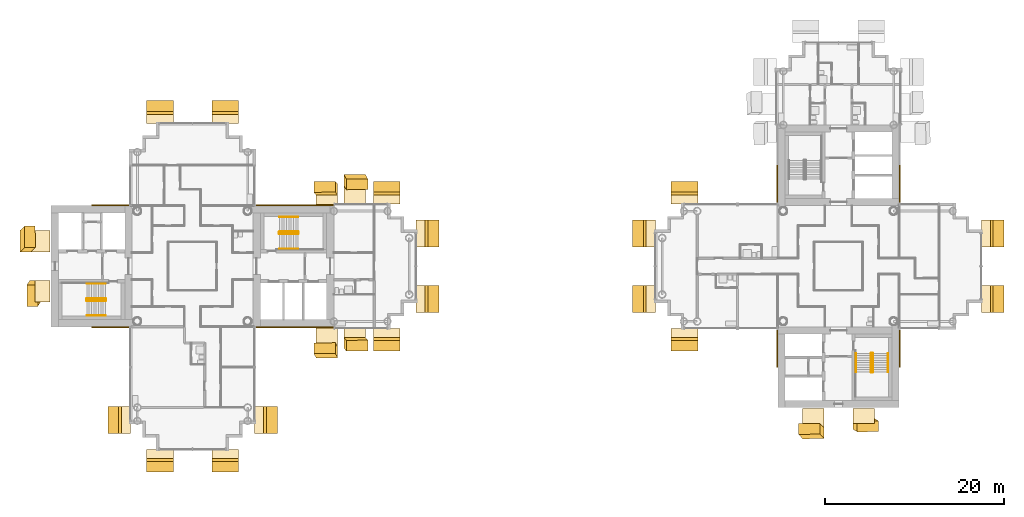
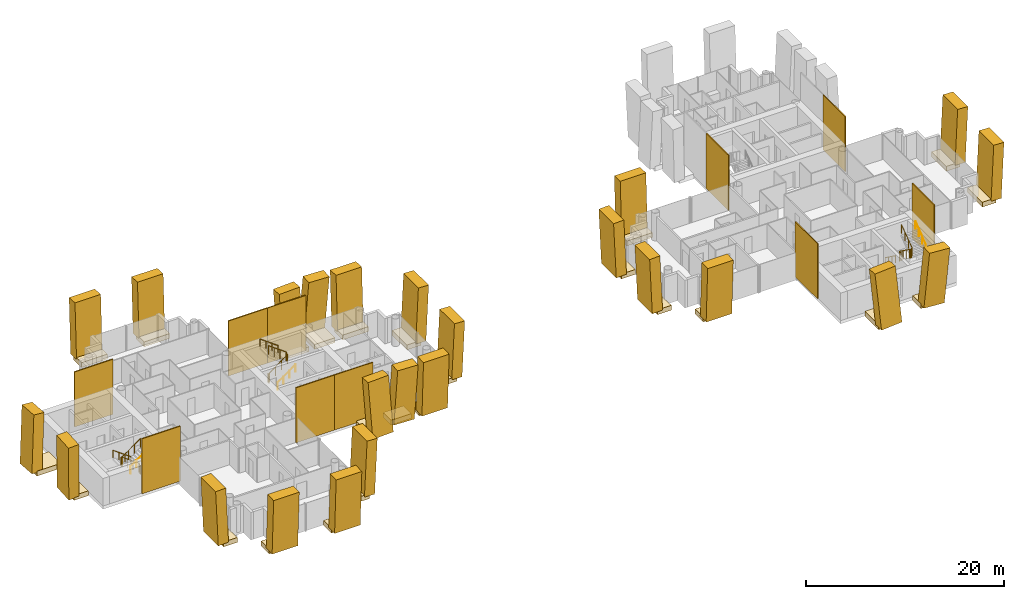
# One storey, part 16 of 18: 58 coverings, 9 railings.
"""IFC4 building model written with IfcOpenShell, lengths in metres."""

from ifc_helpers import new_model, si_unit, direction, frame, origin, origin_2d, place, context, subcontext, project, spatial, rectangle, circle, extrude, material, layer, layer_set, material_profile, profile_set, type_object, element, save


model = new_model("IFC4")

# Units and contexts
model_context = context("Model", 3, precision=1e-05, world=origin(), true_north=direction((0.0, 1.0)))
body_context = subcontext(model_context, "Body", "Model", "MODEL_VIEW")
ifc_project = project(units=[si_unit("LENGTHUNIT", "METRE"), si_unit("AREAUNIT", "SQUARE_METRE"), si_unit("VOLUMEUNIT", "CUBIC_METRE"), si_unit("PLANEANGLEUNIT", "RADIAN"), si_unit("MASSUNIT", "GRAM", prefix="KILO")], contexts=[model_context])

# Site, building, storey
site_placement = place(None, origin())
site = spatial("IfcSite", under=ifc_project, at=site_placement, CompositionType="ELEMENT")
building_placement = place(site_placement, origin())
building = spatial("IfcBuilding", under=site, at=building_placement, Name="Ipe Terrace Towers", CompositionType="ELEMENT")
storey_placement = place(building_placement, frame((0.0, 0.0, 171.10009765625)))
storey = spatial("IfcBuildingStorey", under=building, at=storey_placement, Name="L47", CompositionType="ELEMENT", Elevation=171.10009765625)

# Coverings
ifc_material_1 = material(Name="Concrete C50/60 precast, buff finish", Category="concrete")
ifc_layer = layer(ifc_material_1, 0.1201171875)
ifc_layer_set = layer_set([ifc_layer], Name="STONE CORE CLADDING 120")
covering_type_1 = type_object("IfcCoveringType", Name="STONE CORE CLADDING 120", PredefinedType="CLADDING", material=ifc_layer_set)
for number, where, z_axis, x_axis, name in (
    (1, (-45.0, -6.81005859375, 0.0), (0.0, 0.0, 1.0), (1.0, 0.0, 0.0), "stone core cladding"),
    (2, (-45.0, 6.81005859375, 0.0), (0.0, 0.0, 1.0), (-1.0, 0.0, 0.0), "stone core cladding"),
    (3, (-27.0, -6.81005859375, 0.0), (0.0, 0.0, 1.0), (1.0, 0.0, 0.0), "stone core cladding"),
):
    element("IfcCovering", number, at=place(storey_placement, frame(where, z_axis=z_axis, x_axis=x_axis)), inside=storey, type_object=covering_type_1, Name=name, PredefinedType="CLADDING", context=body_context, shape_type="SweptSolid", body=[
        extrude(rectangle(XDim=4.5, YDim=0.1201171875, at=origin_2d()), origin(), (0.0, 0.0, 1.0), 6.800048828125),
    ])
covering_1_placement = place(storey_placement, frame((-22.4990234375, -6.81005859375, 0.0), z_axis=(0.0, 0.0, 1.0), x_axis=(1.0, 0.0, 0.0)))
element("IfcCovering", 4, at=covering_1_placement, inside=storey, type_object=covering_type_1, Name="stone core cladding", PredefinedType="CLADDING", context=body_context, shape_type="SweptSolid", body=[
    extrude(rectangle(XDim=4.5009765625, YDim=0.1201171875, at=origin_2d()), origin(), (0.0, 0.0, 1.0), 6.800048828125),
])
covering_2_placement = place(storey_placement, frame((-27.0, 6.81005859375, 0.0), z_axis=(0.0, 0.0, 1.0), x_axis=(-1.0, 0.0, 0.0)))
element("IfcCovering", 5, at=covering_2_placement, inside=storey, type_object=covering_type_1, Name="stone core cladding", PredefinedType="CLADDING", context=body_context, shape_type="SweptSolid", body=[
    extrude(rectangle(XDim=4.5, YDim=0.1201171875, at=origin_2d()), origin(), (0.0, 0.0, 1.0), 6.800048828125),
])
covering_3_placement = place(storey_placement, frame((-22.4990234375, 6.81005859375, 0.0), z_axis=(0.0, 0.0, 1.0), x_axis=(-1.0, 0.0, 0.0)))
element("IfcCovering", 6, at=covering_3_placement, inside=storey, type_object=covering_type_1, Name="stone core cladding", PredefinedType="CLADDING", context=body_context, shape_type="SweptSolid", body=[
    extrude(rectangle(XDim=4.5009765625, YDim=0.1201171875, at=origin_2d()), origin(), (0.0, 0.0, 1.0), 6.800048828125),
])
for number, where, z_axis, x_axis, name in (
    (7, (29.18994140625, -9.0, 0.0), (0.0, 0.0, 1.0), (0.0, -1.0, 0.0), "stone core cladding"),
    (8, (29.18994140625, 9.0, 0.0), (0.0, 0.0, 1.0), (0.0, -1.0, 0.0), "stone core cladding"),
    (9, (42.81005859375, -9.0, 0.0), (0.0, 0.0, 1.0), (0.0, 1.0, 0.0), "stone core cladding"),
    (10, (42.81005859375, 9.0, 0.0), (0.0, 0.0, 1.0), (0.0, 1.0, 0.0), "stone core cladding"),
):
    element("IfcCovering", number, at=place(storey_placement, frame(where, z_axis=z_axis, x_axis=x_axis)), inside=storey, type_object=covering_type_1, Name=name, PredefinedType="CLADDING", context=body_context, shape_type="SweptSolid", body=[
        extrude(rectangle(XDim=4.5, YDim=0.1201171875, at=origin_2d()), origin(), (0.0, 0.0, 1.0), 6.800048828125),
    ])
ifc_material_2 = material(Name="Concrete C50/60 precast, buff finish", Category="concrete")
ifc_material_profile_1 = material_profile(ifc_material_2, rectangle(XDim=2.39990234375, YDim=1.199951171875, at=origin_2d()), Name="STONE FIN 2400 x 1200")
ifc_profile_set_1 = profile_set([ifc_material_profile_1], Name="Concrete C50/60 precast, buff finish")
covering_type_2 = type_object("IfcCoveringType", Name="STONE FIN 2400 x 1200", PredefinedType="USERDEFINED", material=ifc_profile_set_1)
covering_4_placement = place(storey_placement, frame((-21.01806640625, -9.626953125, 0.0), z_axis=(-0.038822138914, 0.073135900405, 0.996566094949), x_axis=(0.99924613661, 0.002841434142, 0.038718015469)))
element("IfcCovering", 11, at=covering_4_placement, inside=storey, type_object=covering_type_2, Name="stone fin", ObjectType="FIN", PredefinedType="USERDEFINED", context=body_context, shape_type="SweptSolid", body=[
    extrude(rectangle(XDim=2.39990234375, YDim=1.199951171875, at=origin_2d()), origin(), (0.0, 0.0, 1.0), 6.8232421875),
])
for number, where, z_axis, x_axis, name in (
    (12, (-21.01806640625, 8.535888671875, 0.0), (-0.038885531728, 0.04580249728, 0.998193391415), (-0.999243671695, -0.001782402549, -0.038844660108), "stone fin"),
    (13, (-17.931884765625, -8.535888671875, 0.0), (0.038885531728, -0.04580249728, 0.998193391415), (0.999243671695, 0.001782402549, -0.038844660108), "stone fin"),
):
    element("IfcCovering", number, at=place(storey_placement, frame(where, z_axis=z_axis, x_axis=x_axis)), inside=storey, type_object=covering_type_2, Name=name, ObjectType="FIN", PredefinedType="USERDEFINED", context=body_context, shape_type="SweptSolid", body=[
        extrude(rectangle(XDim=2.39990234375, YDim=1.199951171875, at=origin_2d()), origin(), (0.0, 0.0, 1.0), 6.81201171875),
    ])
covering_5_placement = place(storey_placement, frame((-17.931884765625, 9.626953125, 0.0), z_axis=(0.038822138914, -0.073135900405, 0.996566094949), x_axis=(-0.99924613661, -0.002841434142, 0.038718015469)))
element("IfcCovering", 14, at=covering_5_placement, inside=storey, type_object=covering_type_2, Name="stone fin", ObjectType="FIN", PredefinedType="USERDEFINED", context=body_context, shape_type="SweptSolid", body=[
    extrude(rectangle(XDim=2.39990234375, YDim=1.199951171875, at=origin_2d()), origin(), (0.0, 0.0, 1.0), 6.8232421875),
])
covering_6_placement = place(storey_placement, frame((-54.626953125, 2.7900390625, 0.0), z_axis=(0.07301111623, 0.070082098847, 0.994865757943), x_axis=(0.00512938425, -0.997541226928, 0.069894134203)))
element("IfcCovering", 15, at=covering_6_placement, inside=storey, type_object=covering_type_2, Name="stone fin", ObjectType="FIN", PredefinedType="USERDEFINED", context=body_context, shape_type="SweptSolid", body=[
    extrude(rectangle(XDim=2.39990234375, YDim=1.199951171875, at=origin_2d()), origin(), (0.0, 0.0, 1.0), 6.8349609375),
])
for number, where, z_axis, x_axis, name in (
    (16, (-53.535888671875, -2.7900390625, 0.0), (-0.045724094476, -0.070196145041, 0.996484725626), (0.0032175923, -0.99753320808, -0.070122363611), "stone fin"),
    (17, (38.7900390625, -17.535888671875, 0.0), (0.070196145041, -0.045724094476, 0.996484725626), (0.99753320808, 0.0032175923, -0.070122363611), "stone fin"),
):
    element("IfcCovering", number, at=place(storey_placement, frame(where, z_axis=z_axis, x_axis=x_axis)), inside=storey, type_object=covering_type_2, Name=name, ObjectType="FIN", PredefinedType="USERDEFINED", context=body_context, shape_type="SweptSolid", body=[
        extrude(rectangle(XDim=2.39990234375, YDim=1.199951171875, at=origin_2d()), origin(), (0.0, 0.0, 1.0), 6.82373046875),
    ])
covering_7_placement = place(storey_placement, frame((33.2099609375, -18.626953125, 0.0), z_axis=(-0.070082098847, 0.07301111623, 0.994865757943), x_axis=(0.997541226928, 0.00512938425, 0.069894134203)))
element("IfcCovering", 18, at=covering_7_placement, inside=storey, type_object=covering_type_2, Name="stone fin", ObjectType="FIN", PredefinedType="USERDEFINED", context=body_context, shape_type="SweptSolid", body=[
    extrude(rectangle(XDim=2.39990234375, YDim=1.199951171875, at=origin_2d()), origin(), (0.0, 0.0, 1.0), 6.8349609375),
])
ifc_material_3 = material(Name="Concrete C50/60 precast, buff finish", Category="concrete")
ifc_material_profile_2 = material_profile(ifc_material_3, rectangle(XDim=3.0, YDim=1.199951171875, at=origin_2d()), Name="STONE FIN CORNER 3000 x 1200")
ifc_profile_set_2 = profile_set([ifc_material_profile_2], Name="Concrete C50/60 precast, buff finish")
covering_type_3 = type_object("IfcCoveringType", Name="STONE FIN CORNER 3000 x 1200", PredefinedType="USERDEFINED", material=ifc_profile_set_2)
for number, where, z_axis, x_axis, name in (
    (19, (-9.464111328125, -3.64990234375, 0.0), (0.045837165225, 0.0, 0.998948924762), (0.0, 1.0, 0.0), "stone fin"),
    (20, (-9.464111328125, 3.64990234375, 0.0), (0.045837165225, 0.0, 0.998948924762), (0.0, 1.0, 0.0), "stone fin"),
    (21, (-14.35009765625, -8.535888671875, 0.0), (0.0, -0.045837165225, 0.998948924762), (1.0, 0.0, 0.0), "stone fin"),
    (22, (-14.35009765625, 8.535888671875, 0.0), (0.0, 0.045837165225, 0.998948924762), (-1.0, 0.0, 0.0), "stone fin"),
    (23, (-27.464111328125, -17.14990234375, 0.0), (0.045837165225, 0.0, 0.998948924762), (0.0, 1.0, 0.0), "stone fin"),
    (24, (-32.35009765625, -22.035888671875, 0.0), (0.0, -0.045837165225, 0.998948924762), (1.0, 0.0, 0.0), "stone fin"),
    (25, (-32.35009765625, 17.535888671875, 0.0), (0.0, 0.045837165225, 0.998948924762), (-1.0, 0.0, 0.0), "stone fin"),
    (26, (-39.64990234375, -22.035888671875, 0.0), (0.0, -0.045837165225, 0.998948924762), (1.0, 0.0, 0.0), "stone fin"),
    (27, (-39.64990234375, 17.535888671875, 0.0), (0.0, 0.045837165225, 0.998948924762), (-1.0, 0.0, 0.0), "stone fin"),
    (28, (-44.535888671875, -17.14990234375, 0.0), (-0.045837165225, 0.0, 0.998948924762), (0.0, -1.0, 0.0), "stone fin"),
    (29, (13.964111328125, -3.64990234375, 0.0), (-0.045837165225, 0.0, 0.998948924762), (0.0, -1.0, 0.0), "stone fin"),
    (30, (13.964111328125, 3.64990234375, 0.0), (-0.045837165225, 0.0, 0.998948924762), (0.0, -1.0, 0.0), "stone fin"),
    (31, (18.85009765625, -8.535888671875, 0.0), (0.0, -0.045837165225, 0.998948924762), (1.0, 0.0, 0.0), "stone fin"),
    (32, (18.85009765625, 8.535888671875, 0.0), (0.0, 0.045837165225, 0.998948924762), (-1.0, 0.0, 0.0), "stone fin"),
    (33, (53.535888671875, -3.64990234375, 0.0), (0.045837165225, 0.0, 0.998948924762), (0.0, 1.0, 0.0), "stone fin"),
    (34, (53.535888671875, 3.64990234375, 0.0), (0.045837165225, 0.0, 0.998948924762), (0.0, 1.0, 0.0), "stone fin"),
):
    element("IfcCovering", number, at=place(storey_placement, frame(where, z_axis=z_axis, x_axis=x_axis)), inside=storey, type_object=covering_type_3, Name=name, ObjectType="FIN", PredefinedType="USERDEFINED", context=body_context, shape_type="SweptSolid", body=[
        extrude(rectangle(XDim=3.0, YDim=1.199951171875, at=origin_2d()), origin(), (0.0, 0.0, 1.0), 6.806884765625),
    ])
ifc_material_4 = material(Name="Concrete C50/60 precast, buff finish", Category="concrete")
covering_type_4 = type_object("IfcCoveringType", Name="STONE FIN SHELF 2400 x 600", PredefinedType="CLADDING", material=ifc_material_4)
covering_8_placement = place(storey_placement, frame((-21.01806640625, -8.243896484375, -0.35009765625), z_axis=(0.0, 0.0, 1.0), x_axis=(1.0, 0.0, 0.0)))
element("IfcCovering", 35, at=covering_8_placement, inside=storey, type_object=covering_type_4, Name="stone fin shelf", PredefinedType="CLADDING", context=body_context, shape_type="SweptSolid", body=[
    extrude(rectangle(XDim=2.39990234375, YDim=2.76708984375, at=origin_2d()), origin(), (0.0, 0.0, 1.0), 0.60009765625),
])
covering_9_placement = place(storey_placement, frame((-21.01806640625, 7.697998046875, -0.35009765625), z_axis=(0.0, 0.0, 1.0), x_axis=(-1.0, 0.0, 0.0)))
element("IfcCovering", 36, at=covering_9_placement, inside=storey, type_object=covering_type_4, Name="stone fin shelf", PredefinedType="CLADDING", context=body_context, shape_type="SweptSolid", body=[
    extrude(rectangle(XDim=2.39990234375, YDim=1.676025390625, at=origin_2d()), origin(), (0.0, 0.0, 1.0), 0.60009765625),
])
covering_10_placement = place(storey_placement, frame((-17.931884765625, -7.72607421875, -0.35009765625), z_axis=(0.0, 0.0, 1.0), x_axis=(1.0, 0.0, 0.0)))
element("IfcCovering", 37, at=covering_10_placement, inside=storey, type_object=covering_type_4, Name="stone fin shelf", PredefinedType="CLADDING", context=body_context, shape_type="SweptSolid", body=[
    extrude(rectangle(XDim=2.39990234375, YDim=1.6201171875, at=origin_2d()), origin(), (0.0, 0.0, 1.0), 0.60009765625),
])
covering_11_placement = place(storey_placement, frame((-17.931884765625, 8.27099609375, -0.35009765625), z_axis=(0.0, 0.0, 1.0), x_axis=(-1.0, 0.0, 0.0)))
element("IfcCovering", 38, at=covering_11_placement, inside=storey, type_object=covering_type_4, Name="stone fin shelf", PredefinedType="CLADDING", context=body_context, shape_type="SweptSolid", body=[
    extrude(rectangle(XDim=2.39990234375, YDim=2.7109375, at=origin_2d()), origin(), (0.0, 0.0, 1.0), 0.60009765625),
])
covering_12_placement = place(storey_placement, frame((-53.243896484375, 2.7900390625, -0.35009765625), z_axis=(0.0, 0.0, 1.0), x_axis=(0.0, -1.0, 0.0)))
element("IfcCovering", 39, at=covering_12_placement, inside=storey, type_object=covering_type_4, Name="stone fin shelf", PredefinedType="CLADDING", context=body_context, shape_type="SweptSolid", body=[
    extrude(rectangle(XDim=2.39990234375, YDim=2.76708984375, at=origin_2d()), origin(), (0.0, 0.0, 1.0), 0.60009765625),
])
for number, where, z_axis, x_axis, name in (
    (40, (-52.697998046875, -2.7900390625, -0.35009765625), (0.0, 0.0, 1.0), (0.0, -1.0, 0.0), "stone fin shelf"),
    (41, (38.7900390625, -16.697998046875, -0.35009765625), (0.0, 0.0, 1.0), (1.0, 0.0, 0.0), "stone fin shelf"),
):
    element("IfcCovering", number, at=place(storey_placement, frame(where, z_axis=z_axis, x_axis=x_axis)), inside=storey, type_object=covering_type_4, Name=name, PredefinedType="CLADDING", context=body_context, shape_type="SweptSolid", body=[
        extrude(rectangle(XDim=2.39990234375, YDim=1.676025390625, at=origin_2d()), origin(), (0.0, 0.0, 1.0), 0.60009765625),
    ])
covering_13_placement = place(storey_placement, frame((33.2099609375, -17.243896484375, -0.35009765625), z_axis=(0.0, 0.0, 1.0), x_axis=(1.0, 0.0, 0.0)))
element("IfcCovering", 42, at=covering_13_placement, inside=storey, type_object=covering_type_4, Name="stone fin shelf", PredefinedType="CLADDING", context=body_context, shape_type="SweptSolid", body=[
    extrude(rectangle(XDim=2.39990234375, YDim=2.76708984375, at=origin_2d()), origin(), (0.0, 0.0, 1.0), 0.60009765625),
])
ifc_material_5 = material(Name="Concrete C50/60 precast, buff finish", Category="concrete")
covering_type_5 = type_object("IfcCoveringType", Name="STONE FIN SHELF 3000 x 600", PredefinedType="CLADDING", material=ifc_material_5)
for number, where, z_axis, x_axis, name in (
    (43, (-10.27392578125, -3.64990234375, -0.35009765625), (0.0, 0.0, 1.0), (0.0, 1.0, 0.0), "stone fin shelf"),
    (44, (-10.27392578125, 3.64990234375, -0.35009765625), (0.0, 0.0, 1.0), (0.0, 1.0, 0.0), "stone fin shelf"),
    (45, (-14.35009765625, -7.72607421875, -0.35009765625), (0.0, 0.0, 1.0), (1.0, 0.0, 0.0), "stone fin shelf"),
    (46, (-14.35009765625, 7.72607421875, -0.35009765625), (0.0, 0.0, 1.0), (-1.0, 0.0, 0.0), "stone fin shelf"),
    (47, (-28.27392578125, -17.14990234375, -0.35009765625), (0.0, 0.0, 1.0), (0.0, 1.0, 0.0), "stone fin shelf"),
    (48, (-32.35009765625, -21.22607421875, -0.35009765625), (0.0, 0.0, 1.0), (1.0, 0.0, 0.0), "stone fin shelf"),
    (49, (-32.35009765625, 16.72607421875, -0.35009765625), (0.0, 0.0, 1.0), (-1.0, 0.0, 0.0), "stone fin shelf"),
    (50, (-39.64990234375, -21.22607421875, -0.35009765625), (0.0, 0.0, 1.0), (1.0, 0.0, 0.0), "stone fin shelf"),
    (51, (-39.64990234375, 16.72607421875, -0.35009765625), (0.0, 0.0, 1.0), (-1.0, 0.0, 0.0), "stone fin shelf"),
    (52, (-43.72607421875, -17.14990234375, -0.35009765625), (0.0, 0.0, 1.0), (0.0, -1.0, 0.0), "stone fin shelf"),
    (53, (14.77392578125, -3.64990234375, -0.35009765625), (0.0, 0.0, 1.0), (0.0, -1.0, 0.0), "stone fin shelf"),
    (54, (14.77392578125, 3.64990234375, -0.35009765625), (0.0, 0.0, 1.0), (0.0, -1.0, 0.0), "stone fin shelf"),
    (55, (18.85009765625, -7.72607421875, -0.35009765625), (0.0, 0.0, 1.0), (1.0, 0.0, 0.0), "stone fin shelf"),
    (56, (18.85009765625, 7.72607421875, -0.35009765625), (0.0, 0.0, 1.0), (-1.0, 0.0, 0.0), "stone fin shelf"),
    (57, (52.72607421875, -3.64990234375, -0.35009765625), (0.0, 0.0, 1.0), (0.0, 1.0, 0.0), "stone fin shelf"),
    (58, (52.72607421875, 3.64990234375, -0.35009765625), (0.0, 0.0, 1.0), (0.0, 1.0, 0.0), "stone fin shelf"),
):
    element("IfcCovering", number, at=place(storey_placement, frame(where, z_axis=z_axis, x_axis=x_axis)), inside=storey, type_object=covering_type_5, Name=name, PredefinedType="CLADDING", context=body_context, shape_type="SweptSolid", body=[
        extrude(rectangle(XDim=3.0, YDim=1.6201171875, at=origin_2d()), origin(), (0.0, 0.0, 1.0), 0.60009765625),
    ])

# Railings
ifc_material_6 = material(Name="Steel S355", Category="steel")
railing_type_1 = type_object("IfcRailingType", Name="Stair guard 1100", PredefinedType="GUARDRAIL", material=ifc_material_6)
railing_1_placement = place(storey_placement, frame((-26.35009765625, 3.800048828125, 0.0)))
element("IfcRailing", 59, at=railing_1_placement, inside=storey, type_object=railing_type_1, Name="L47 T1-ST1 stair guard 1", PredefinedType="GUARDRAIL", context=body_context, shape_type="SweptSolid", body=[
    extrude(circle(Radius=0.02392578125, at=origin_2d()), frame((0.0, 0.0, 1.076171875), z_axis=(0.0, -1.0, 0.0), x_axis=(1.0, 0.0, 0.0)), (0.0, 0.0, 1.0), 0.150146484375),
    extrude(circle(Radius=0.02392578125, at=origin_2d()), frame((0.0, -0.150146484375, 1.076171875), z_axis=(0.248385422981, -0.247173786771, 0.936594790069), x_axis=(0.705375805398, 0.708833529934, 0.0)), (0.0, 0.0, 1.0), 0.201416015625),
    extrude(circle(Radius=0.02392578125, at=origin_2d()), frame((0.050048828125, -0.199951171875, 1.2646484375), z_axis=(0.809023421508, 0.0, 0.587776406001), x_axis=(0.0, 1.0, 0.0)), (0.0, 0.0, 1.0), 2.571044921875),
    extrude(circle(Radius=0.02392578125, at=origin_2d()), frame((2.130126953125, -0.199951171875, 2.77587890625), z_axis=(0.708833529934, 0.705375805398, 0.0), x_axis=(-0.705375805398, 0.708833529934, 0.0)), (0.0, 0.0, 1.0), 0.070556640625),
    extrude(circle(Radius=0.02392578125, at=origin_2d()), frame((2.18017578125, -0.150146484375, 2.77587890625), z_axis=(0.0, 1.0, 0.0), x_axis=(-1.0, 0.0, 0.0)), (0.0, 0.0, 1.0), 0.150146484375),
    extrude(circle(Radius=0.02392578125, at=origin_2d()), frame((2.18017578125, 0.0, 2.77587890625), z_axis=(-0.248310886586, 0.248310886586, 0.936313733321), x_axis=(-0.707106781187, -0.707106781187, 0.0)), (0.0, 0.0, 1.0), 0.20166015625),
    extrude(circle(Radius=0.02392578125, at=origin_2d()), frame((2.130126953125, 0.050048828125, 2.96484375), z_axis=(-0.809023421508, 0.0, 0.587776406001), x_axis=(0.0, -1.0, 0.0)), (0.0, 0.0, 1.0), 2.571044921875),
    extrude(circle(Radius=0.02099609375, at=origin_2d()), origin(), (0.0, 0.0, 1.0), 1.052001953125),
    extrude(circle(Radius=0.02099609375, at=origin_2d()), frame((0.0, -0.150146484375, 0.0)), (0.0, 0.0, 1.0), 1.052001953125),
    extrude(circle(Radius=0.02099609375, at=origin_2d()), frame((0.050048828125, -0.199951171875, 0.188720703125)), (0.0, 0.0, 1.0), 1.052001953125),
    extrude(circle(Radius=0.02099609375, at=origin_2d()), frame((0.743408203125, -0.199951171875, 0.6923828125)), (0.0, 0.0, 1.0), 1.052001953125),
    extrude(circle(Radius=0.02099609375, at=origin_2d()), frame((1.436767578125, -0.199951171875, 1.1962890625)), (0.0, 0.0, 1.0), 1.052001953125),
    extrude(circle(Radius=0.02099609375, at=origin_2d()), frame((2.130126953125, -0.199951171875, 1.699951171875)), (0.0, 0.0, 1.0), 1.052001953125),
    extrude(circle(Radius=0.02099609375, at=origin_2d()), frame((2.18017578125, -0.150146484375, 1.699951171875)), (0.0, 0.0, 1.0), 1.052001953125),
    extrude(circle(Radius=0.02099609375, at=origin_2d()), frame((2.18017578125, 0.0, 1.699951171875)), (0.0, 0.0, 1.0), 1.052001953125),
    extrude(circle(Radius=0.02099609375, at=origin_2d()), frame((2.130126953125, 0.050048828125, 1.888671875)), (0.0, 0.0, 1.0), 1.052001953125),
    extrude(circle(Radius=0.02099609375, at=origin_2d()), frame((1.436767578125, 0.050048828125, 2.392333984375)), (0.0, 0.0, 1.0), 1.052001953125),
    extrude(circle(Radius=0.02099609375, at=origin_2d()), frame((0.743408203125, 0.050048828125, 2.896240234375)), (0.0, 0.0, 1.0), 1.052001953125),
    extrude(circle(Radius=0.02099609375, at=origin_2d()), frame((0.050048828125, 0.050048828125, 3.39990234375)), (0.0, 0.0, 1.0), 1.052001953125),
])
railing_2_placement = place(storey_placement, frame((-45.64990234375, -3.800048828125, 0.0)))
element("IfcRailing", 60, at=railing_2_placement, inside=storey, type_object=railing_type_1, Name="L47 T1-ST2 stair guard 1", PredefinedType="GUARDRAIL", context=body_context, shape_type="SweptSolid", body=[
    extrude(circle(Radius=0.02392578125, at=origin_2d()), frame((0.0, 0.0, 1.076171875), z_axis=(0.0, 1.0, 0.0), x_axis=(-1.0, 0.0, 0.0)), (0.0, 0.0, 1.0), 0.150146484375),
    extrude(circle(Radius=0.02392578125, at=origin_2d()), frame((0.0, 0.150146484375, 1.076171875), z_axis=(-0.248385422981, 0.247173786771, 0.936594790069), x_axis=(-0.705375805398, -0.708833529934, 0.0)), (0.0, 0.0, 1.0), 0.201416015625),
    extrude(circle(Radius=0.02392578125, at=origin_2d()), frame((-0.050048828125, 0.199951171875, 1.2646484375), z_axis=(-0.809023421508, 0.0, 0.587776406001), x_axis=(0.0, -1.0, 0.0)), (0.0, 0.0, 1.0), 2.571044921875),
    extrude(circle(Radius=0.02392578125, at=origin_2d()), frame((-2.130126953125, 0.199951171875, 2.77587890625), z_axis=(-0.708833529934, -0.705375805398, 0.0), x_axis=(0.705375805398, -0.708833529934, 0.0)), (0.0, 0.0, 1.0), 0.070556640625),
    extrude(circle(Radius=0.02392578125, at=origin_2d()), frame((-2.18017578125, 0.150146484375, 2.77587890625), z_axis=(0.0, -1.0, 0.0), x_axis=(1.0, 0.0, 0.0)), (0.0, 0.0, 1.0), 0.150146484375),
    extrude(circle(Radius=0.02392578125, at=origin_2d()), frame((-2.18017578125, 0.0, 2.77587890625), z_axis=(0.248310886586, -0.248310886586, 0.936313733321), x_axis=(0.707106781187, 0.707106781187, 0.0)), (0.0, 0.0, 1.0), 0.20166015625),
    extrude(circle(Radius=0.02392578125, at=origin_2d()), frame((-2.130126953125, -0.050048828125, 2.96484375), z_axis=(0.809023421508, 0.0, 0.587776406001), x_axis=(0.0, 1.0, 0.0)), (0.0, 0.0, 1.0), 2.571044921875),
    extrude(circle(Radius=0.02099609375, at=origin_2d()), origin(), (0.0, 0.0, 1.0), 1.052001953125),
    extrude(circle(Radius=0.02099609375, at=origin_2d()), frame((0.0, 0.150146484375, 0.0)), (0.0, 0.0, 1.0), 1.052001953125),
    extrude(circle(Radius=0.02099609375, at=origin_2d()), frame((-0.050048828125, 0.199951171875, 0.188720703125)), (0.0, 0.0, 1.0), 1.052001953125),
    extrude(circle(Radius=0.02099609375, at=origin_2d()), frame((-0.743408203125, 0.199951171875, 0.6923828125)), (0.0, 0.0, 1.0), 1.052001953125),
    extrude(circle(Radius=0.02099609375, at=origin_2d()), frame((-1.436767578125, 0.199951171875, 1.1962890625)), (0.0, 0.0, 1.0), 1.052001953125),
    extrude(circle(Radius=0.02099609375, at=origin_2d()), frame((-2.130126953125, 0.199951171875, 1.699951171875)), (0.0, 0.0, 1.0), 1.052001953125),
    extrude(circle(Radius=0.02099609375, at=origin_2d()), frame((-2.18017578125, 0.150146484375, 1.699951171875)), (0.0, 0.0, 1.0), 1.052001953125),
    extrude(circle(Radius=0.02099609375, at=origin_2d()), frame((-2.18017578125, 0.0, 1.699951171875)), (0.0, 0.0, 1.0), 1.052001953125),
    extrude(circle(Radius=0.02099609375, at=origin_2d()), frame((-2.130126953125, -0.050048828125, 1.888671875)), (0.0, 0.0, 1.0), 1.052001953125),
    extrude(circle(Radius=0.02099609375, at=origin_2d()), frame((-1.436767578125, -0.050048828125, 2.392333984375)), (0.0, 0.0, 1.0), 1.052001953125),
    extrude(circle(Radius=0.02099609375, at=origin_2d()), frame((-0.743408203125, -0.050048828125, 2.896240234375)), (0.0, 0.0, 1.0), 1.052001953125),
    extrude(circle(Radius=0.02099609375, at=origin_2d()), frame((-0.050048828125, -0.050048828125, 3.39990234375)), (0.0, 0.0, 1.0), 1.052001953125),
])
railing_3_placement = place(storey_placement, frame((39.800048828125, -9.64990234375, 0.0)))
element("IfcRailing", 61, at=railing_3_placement, inside=storey, type_object=railing_type_1, Name="L47 T2-ST2 stair guard 1", PredefinedType="GUARDRAIL", context=body_context, shape_type="SweptSolid", body=[
    extrude(circle(Radius=0.02392578125, at=origin_2d()), frame((0.0, 0.0, 1.076171875), z_axis=(-1.0, 0.0, 0.0), x_axis=(0.0, -1.0, 0.0)), (0.0, 0.0, 1.0), 0.150146484375),
    extrude(circle(Radius=0.02392578125, at=origin_2d()), frame((-0.150146484375, 0.0, 1.076171875), z_axis=(-0.247173786771, -0.248385422981, 0.936594790069), x_axis=(0.708833529934, -0.705375805398, 0.0)), (0.0, 0.0, 1.0), 0.201416015625),
    extrude(circle(Radius=0.02392578125, at=origin_2d()), frame((-0.199951171875, -0.050048828125, 1.2646484375), z_axis=(0.0, -0.809023421508, 0.587776406001), x_axis=(1.0, 0.0, 0.0)), (0.0, 0.0, 1.0), 2.571044921875),
    extrude(circle(Radius=0.02392578125, at=origin_2d()), frame((-0.199951171875, -2.130126953125, 2.77587890625), z_axis=(0.705375805398, -0.708833529934, 0.0), x_axis=(0.708833529934, 0.705375805398, 0.0)), (0.0, 0.0, 1.0), 0.070556640625),
    extrude(circle(Radius=0.02392578125, at=origin_2d()), frame((-0.150146484375, -2.18017578125, 2.77587890625), z_axis=(1.0, 0.0, 0.0), x_axis=(0.0, 1.0, 0.0)), (0.0, 0.0, 1.0), 0.150146484375),
    extrude(circle(Radius=0.02392578125, at=origin_2d()), frame((0.0, -2.18017578125, 2.77587890625), z_axis=(0.248310886586, 0.248310886586, 0.936313733321), x_axis=(-0.707106781187, 0.707106781187, 0.0)), (0.0, 0.0, 1.0), 0.20166015625),
    extrude(circle(Radius=0.02392578125, at=origin_2d()), frame((0.050048828125, -2.130126953125, 2.96484375), z_axis=(0.0, 0.809023421508, 0.587776406001), x_axis=(-1.0, 0.0, 0.0)), (0.0, 0.0, 1.0), 2.571044921875),
    extrude(circle(Radius=0.02099609375, at=origin_2d()), origin(), (0.0, 0.0, 1.0), 1.052001953125),
    extrude(circle(Radius=0.02099609375, at=origin_2d()), frame((-0.150146484375, 0.0, 0.0)), (0.0, 0.0, 1.0), 1.052001953125),
    extrude(circle(Radius=0.02099609375, at=origin_2d()), frame((-0.199951171875, -0.050048828125, 0.188720703125)), (0.0, 0.0, 1.0), 1.052001953125),
    extrude(circle(Radius=0.02099609375, at=origin_2d()), frame((-0.199951171875, -0.743408203125, 0.6923828125)), (0.0, 0.0, 1.0), 1.052001953125),
    extrude(circle(Radius=0.02099609375, at=origin_2d()), frame((-0.199951171875, -1.436767578125, 1.1962890625)), (0.0, 0.0, 1.0), 1.052001953125),
    extrude(circle(Radius=0.02099609375, at=origin_2d()), frame((-0.199951171875, -2.130126953125, 1.699951171875)), (0.0, 0.0, 1.0), 1.052001953125),
    extrude(circle(Radius=0.02099609375, at=origin_2d()), frame((-0.150146484375, -2.18017578125, 1.699951171875)), (0.0, 0.0, 1.0), 1.052001953125),
    extrude(circle(Radius=0.02099609375, at=origin_2d()), frame((0.0, -2.18017578125, 1.699951171875)), (0.0, 0.0, 1.0), 1.052001953125),
    extrude(circle(Radius=0.02099609375, at=origin_2d()), frame((0.050048828125, -2.130126953125, 1.888671875)), (0.0, 0.0, 1.0), 1.052001953125),
    extrude(circle(Radius=0.02099609375, at=origin_2d()), frame((0.050048828125, -1.436767578125, 2.392333984375)), (0.0, 0.0, 1.0), 1.052001953125),
    extrude(circle(Radius=0.02099609375, at=origin_2d()), frame((0.050048828125, -0.743408203125, 2.896240234375)), (0.0, 0.0, 1.0), 1.052001953125),
    extrude(circle(Radius=0.02099609375, at=origin_2d()), frame((0.050048828125, -0.050048828125, 3.39990234375)), (0.0, 0.0, 1.0), 1.052001953125),
])
ifc_material_7 = material(Name="Stainless steel grade 304", Category="steel")
railing_type_2 = type_object("IfcRailingType", Name="Stair handrail 900", PredefinedType="HANDRAIL", material=ifc_material_7)
railing_4_placement = place(storey_placement, frame((-26.300048828125, 1.949951171875, 0.188720703125)))
element("IfcRailing", 62, at=railing_4_placement, inside=storey, type_object=railing_type_2, Name="L47 T1-ST1 stair handrail 1", PredefinedType="HANDRAIL", context=body_context, shape_type="SweptSolid", body=[
    extrude(circle(Radius=0.02392578125, at=origin_2d()), frame((0.0, 0.0, 0.8759765625), z_axis=(0.809023421508, 0.0, 0.587776406001), x_axis=(0.0, 1.0, 0.0)), (0.0, 0.0, 1.0), 2.571044921875),
    extrude(circle(Radius=0.02099609375, at=origin_2d()), origin(), (0.0, 0.0, 1.0), 0.851806640625),
    extrude(circle(Radius=0.02099609375, at=origin_2d()), frame((0.693359375, 0.0, 0.503662109375)), (0.0, 0.0, 1.0), 0.851806640625),
    extrude(circle(Radius=0.02099609375, at=origin_2d()), frame((1.38671875, 0.0, 1.007568359375)), (0.0, 0.0, 1.0), 0.851806640625),
    extrude(circle(Radius=0.02099609375, at=origin_2d()), frame((2.080078125, 0.0, 1.51123046875)), (0.0, 0.0, 1.0), 0.851806640625),
])
for number, where, name in (
    (63, (-24.219970703125, 5.5, 1.888671875), "L47 T1-ST1 stair handrail 2"),
    (64, (-45.699951171875, -1.949951171875, 0.188720703125), "L47 T1-ST2 stair handrail 1"),
):
    element("IfcRailing", number, at=place(storey_placement, frame(where)), inside=storey, type_object=railing_type_2, Name=name, PredefinedType="HANDRAIL", context=body_context, shape_type="SweptSolid", body=[
        extrude(circle(Radius=0.02392578125, at=origin_2d()), frame((0.0, 0.0, 0.8759765625), z_axis=(-0.809023421508, 0.0, 0.587776406001), x_axis=(0.0, -1.0, 0.0)), (0.0, 0.0, 1.0), 2.571044921875),
        extrude(circle(Radius=0.02099609375, at=origin_2d()), origin(), (0.0, 0.0, 1.0), 0.851806640625),
        extrude(circle(Radius=0.02099609375, at=origin_2d()), frame((-0.693359375, 0.0, 0.503662109375)), (0.0, 0.0, 1.0), 0.851806640625),
        extrude(circle(Radius=0.02099609375, at=origin_2d()), frame((-1.38671875, 0.0, 1.007568359375)), (0.0, 0.0, 1.0), 0.851806640625),
        extrude(circle(Radius=0.02099609375, at=origin_2d()), frame((-2.080078125, 0.0, 1.51123046875)), (0.0, 0.0, 1.0), 0.851806640625),
    ])
railing_5_placement = place(storey_placement, frame((-47.780029296875, -5.5, 1.888671875)))
element("IfcRailing", 65, at=railing_5_placement, inside=storey, type_object=railing_type_2, Name="L47 T1-ST2 stair handrail 2", PredefinedType="HANDRAIL", context=body_context, shape_type="SweptSolid", body=[
    extrude(circle(Radius=0.02392578125, at=origin_2d()), frame((0.0, 0.0, 0.8759765625), z_axis=(0.809023421508, 0.0, 0.587776406001), x_axis=(0.0, 1.0, 0.0)), (0.0, 0.0, 1.0), 2.571044921875),
    extrude(circle(Radius=0.02099609375, at=origin_2d()), origin(), (0.0, 0.0, 1.0), 0.851806640625),
    extrude(circle(Radius=0.02099609375, at=origin_2d()), frame((0.693359375, 0.0, 0.503662109375)), (0.0, 0.0, 1.0), 0.851806640625),
    extrude(circle(Radius=0.02099609375, at=origin_2d()), frame((1.38671875, 0.0, 1.007568359375)), (0.0, 0.0, 1.0), 0.851806640625),
    extrude(circle(Radius=0.02099609375, at=origin_2d()), frame((2.080078125, 0.0, 1.51123046875)), (0.0, 0.0, 1.0), 0.851806640625),
])
railing_6_placement = place(storey_placement, frame((37.949951171875, -9.699951171875, 0.188720703125)))
element("IfcRailing", 66, at=railing_6_placement, inside=storey, type_object=railing_type_2, Name="L47 T2-ST2 stair handrail 1", PredefinedType="HANDRAIL", context=body_context, shape_type="SweptSolid", body=[
    extrude(circle(Radius=0.02392578125, at=origin_2d()), frame((0.0, 0.0, 0.8759765625), z_axis=(0.0, -0.809023421508, 0.587776406001), x_axis=(1.0, 0.0, 0.0)), (0.0, 0.0, 1.0), 2.571044921875),
    extrude(circle(Radius=0.02099609375, at=origin_2d()), origin(), (0.0, 0.0, 1.0), 0.851806640625),
    extrude(circle(Radius=0.02099609375, at=origin_2d()), frame((0.0, -0.693359375, 0.503662109375)), (0.0, 0.0, 1.0), 0.851806640625),
    extrude(circle(Radius=0.02099609375, at=origin_2d()), frame((0.0, -1.38671875, 1.007568359375)), (0.0, 0.0, 1.0), 0.851806640625),
    extrude(circle(Radius=0.02099609375, at=origin_2d()), frame((0.0, -2.080078125, 1.51123046875)), (0.0, 0.0, 1.0), 0.851806640625),
])
railing_7_placement = place(storey_placement, frame((41.5, -11.780029296875, 1.888671875)))
element("IfcRailing", 67, at=railing_7_placement, inside=storey, type_object=railing_type_2, Name="L47 T2-ST2 stair handrail 2", PredefinedType="HANDRAIL", context=body_context, shape_type="SweptSolid", body=[
    extrude(circle(Radius=0.02392578125, at=origin_2d()), frame((0.0, 0.0, 0.8759765625), z_axis=(0.0, 0.809023421508, 0.587776406001), x_axis=(-1.0, 0.0, 0.0)), (0.0, 0.0, 1.0), 2.571044921875),
    extrude(circle(Radius=0.02099609375, at=origin_2d()), origin(), (0.0, 0.0, 1.0), 0.851806640625),
    extrude(circle(Radius=0.02099609375, at=origin_2d()), frame((0.0, 0.693359375, 0.503662109375)), (0.0, 0.0, 1.0), 0.851806640625),
    extrude(circle(Radius=0.02099609375, at=origin_2d()), frame((0.0, 1.38671875, 1.007568359375)), (0.0, 0.0, 1.0), 0.851806640625),
    extrude(circle(Radius=0.02099609375, at=origin_2d()), frame((0.0, 2.080078125, 1.51123046875)), (0.0, 0.0, 1.0), 0.851806640625),
])

save(model, "model.ifc")
